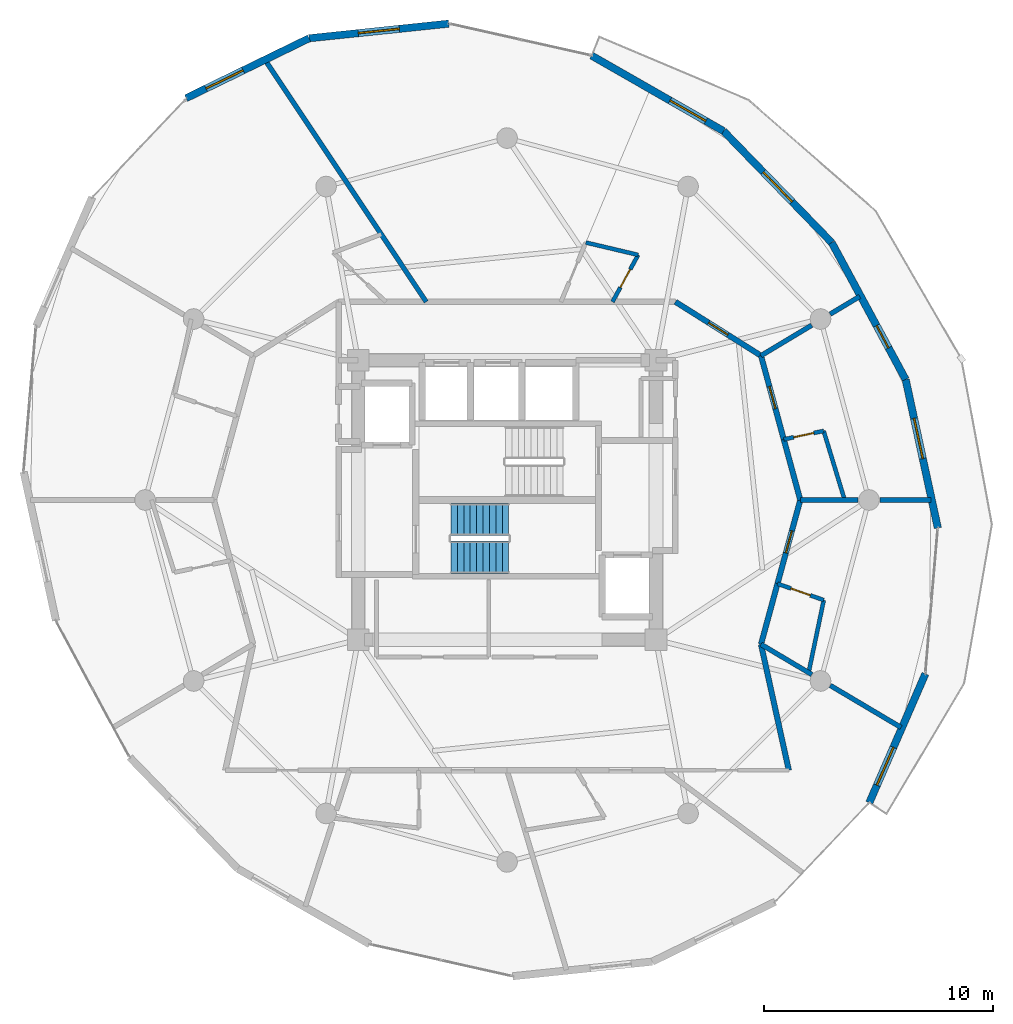
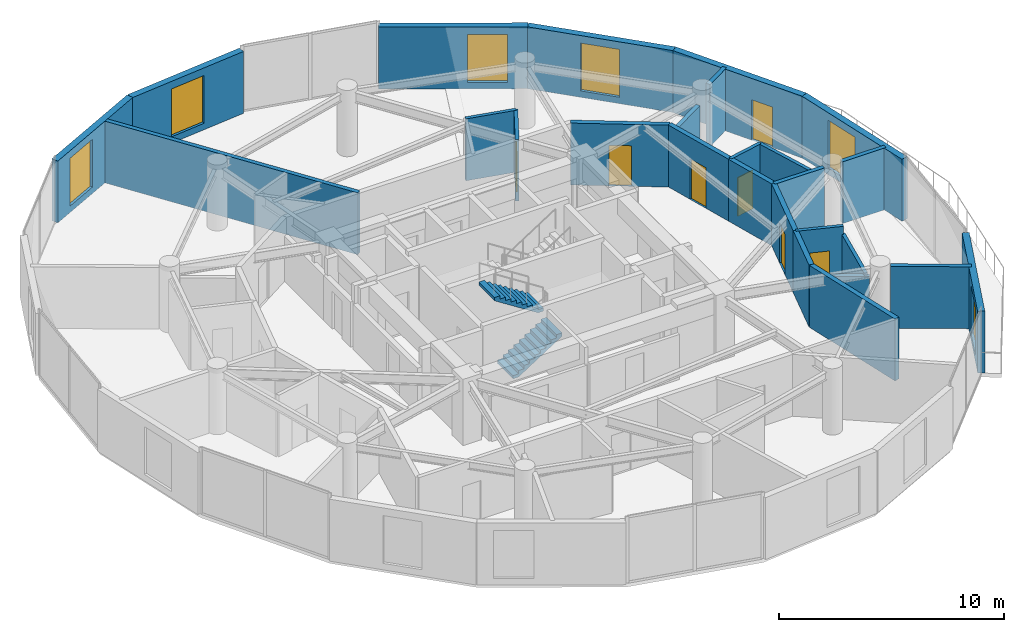
# One storey, part 20 of 23: 26 walls, 7 doors, 6 windows, 2 stair flights, 13 openings, 1 element without a shape of its own.
"""IFC4 building model written with IfcOpenShell, lengths in metres."""

from ifc_helpers import new_model, si_unit, direction, frame, frame_2d, origin, place, context, subcontext, project, spatial, polyline, rectangle, outline, extrude, material, layer, layer_set, type_object, element, fill, aggregate, save


model = new_model("IFC4")

# Units and contexts
model_context = context("Model", 3, precision=1e-05, world=origin(), true_north=direction((0.0, 1.0)))
body_context = subcontext(model_context, "Body", "Model", "MODEL_VIEW")
ifc_project = project(units=[si_unit("LENGTHUNIT", "METRE"), si_unit("AREAUNIT", "SQUARE_METRE"), si_unit("VOLUMEUNIT", "CUBIC_METRE"), si_unit("PLANEANGLEUNIT", "RADIAN"), si_unit("MASSUNIT", "GRAM", prefix="KILO")], contexts=[model_context])

# Site, building, storey
site_placement = place(None, origin())
site = spatial("IfcSite", under=ifc_project, at=site_placement, CompositionType="ELEMENT")
building_placement = place(site_placement, origin())
building = spatial("IfcBuilding", under=site, at=building_placement, Name="Solvirekh Grand Hotel", CompositionType="ELEMENT")
storey_placement = place(building_placement, frame((0.0, 0.0, 173.199951171875)))
storey = spatial("IfcBuildingStorey", under=building, at=storey_placement, Name="L44", CompositionType="ELEMENT", Elevation=173.199951171875)

# Wall, opening, window
ifc_material_1 = material(Name="Precast concrete C45/55", Category="concrete")
ifc_layer_1 = layer(ifc_material_1, 0.320068359375)
ifc_layer_set_1 = layer_set([ifc_layer_1], Name="Precast concrete C45/55")
wall_type_1 = type_object("IfcWallType", Name="ExtLobbyWall_RC320", PredefinedType="SOLIDWALL", material=ifc_layer_set_1)
wall_1_placement = place(storey_placement, frame((18.260009765625, -7.590087890625, 0.0), z_axis=(0.0, 0.0, 1.0), x_axis=(-0.398911001453, -0.916989647117, 0.0)))
wall_1 = element("IfcWall", 1, at=wall_1_placement, inside=storey, type_object=wall_type_1, Name="L44 exterior structural wall chord 2", PredefinedType="SOLIDWALL", context=body_context, shape_type="SweptSolid", body=[
    extrude(rectangle(XDim=6.1318359375, YDim=0.320068359375, at=frame_2d((3.06591796875, 0.0))), origin(), (0.0, 0.0, 1.0), 3.360107421875),
])
opening_1_placement = place(wall_1_placement, frame((3.5, 0.0, 0.35009765625)))
opening_1 = element("IfcOpeningElement", 2, at=opening_1_placement, cuts=wall_1, Name="Opening W02", PredefinedType="OPENING", context=body_context, shape_type="SweptSolid", body=[
    extrude(rectangle(XDim=1.800048828125, YDim=2.60009765625, at=frame_2d((0.89990234375, 1.300048828125))), frame((0.0, 0.169921875, 0.0), z_axis=(0.0, -1.0, 0.0), x_axis=(1.0, 0.0, 0.0)), (0.0, 0.0, 1.0), 0.340087890625),
])
ifc_material_2 = material(Name="Low-E Tinted Bronze Laminated Glass", Category="aluminium")
window_type = type_object("IfcWindowType", Name="Win_LobbyExt_1800X2600", PartitioningType="SINGLE_PANEL", PredefinedType="WINDOW", material=ifc_material_2)
window_1_placement = place(opening_1_placement, origin())
window_1 = element("IfcWindow", 3, at=window_1_placement, inside=storey, type_object=window_type, Name="L44 panoramic bronze-framed window 2", OverallHeight=2.60009765625, OverallWidth=1.800048828125, PartitioningType="SINGLE_PANEL", PredefinedType="WINDOW", context=body_context, shape_type="SweptSolid", body=[
    extrude(rectangle(XDim=1.800048828125, YDim=2.60009765625, at=frame_2d((0.89990234375, 1.300048828125))), frame((0.0, 0.030029296875, 0.0), z_axis=(0.0, -1.0, 0.0), x_axis=(1.0, 0.0, 0.0)), (0.0, 0.0, 1.0), 0.06005859375),
])
fill(opening_1, window_1)

wall_2_placement = place(storey_placement, frame((17.39794921875, 5.261962890625, 0.0), z_axis=(0.0, 0.0, 1.0), x_axis=(0.211992849193, -0.977271217161, 0.0)))
wall_2 = element("IfcWall", 4, at=wall_2_placement, inside=storey, type_object=wall_type_1, Name="L44 exterior structural wall chord 4", PredefinedType="SOLIDWALL", context=body_context, shape_type="SweptSolid", body=[
    extrude(rectangle(XDim=6.636962890625, YDim=0.320068359375, at=frame_2d((3.318359375, 0.0))), origin(), (0.0, 0.0, 1.0), 3.360107421875),
])
opening_2_placement = place(wall_2_placement, frame((1.738037109375, 0.0, 0.35009765625)))
opening_2 = element("IfcOpeningElement", 5, at=opening_2_placement, cuts=wall_2, Name="Opening W02", PredefinedType="OPENING", context=body_context, shape_type="SweptSolid", body=[
    extrude(rectangle(XDim=1.800048828125, YDim=2.60009765625, at=frame_2d((0.89990234375, 1.300048828125))), frame((0.0, 0.169921875, 0.0), z_axis=(0.0, -1.0, 0.0), x_axis=(1.0, 0.0, 0.0)), (0.0, 0.0, 1.0), 0.340087890625),
])
window_2_placement = place(opening_2_placement, origin())
window_2 = element("IfcWindow", 6, at=window_2_placement, inside=storey, type_object=window_type, Name="L44 panoramic bronze-framed window 4", OverallHeight=2.60009765625, OverallWidth=1.800048828125, PartitioningType="SINGLE_PANEL", PredefinedType="WINDOW", context=body_context, shape_type="SweptSolid", body=[
    extrude(rectangle(XDim=1.800048828125, YDim=2.60009765625, at=frame_2d((0.89990234375, 1.300048828125))), frame((0.0, 0.030029296875, 0.0), z_axis=(0.0, -1.0, 0.0), x_axis=(1.0, 0.0, 0.0)), (0.0, 0.0, 1.0), 0.06005859375),
])
fill(opening_2, window_2)

# Wall, opening, door
wall_3_placement = place(storey_placement, frame((14.174072265625, 11.23193359375, 0.0), z_axis=(0.0, 0.0, 1.0), x_axis=(0.475159501302, -0.879899680829, 0.0)))
wall_3 = element("IfcWall", 7, at=wall_3_placement, inside=storey, type_object=wall_type_1, Name="L44 exterior structural wall chord 5", PredefinedType="SOLIDWALL", context=body_context, shape_type="SweptSolid", body=[
    extrude(rectangle(XDim=6.784912109375, YDim=0.320068359375, at=frame_2d((3.392578125, 0.0))), origin(), (0.0, 0.0, 1.0), 3.360107421875),
])
opening_3_placement = place(wall_3_placement, frame((4.114013671875, 0.0, 0.0)))
opening_3 = element("IfcOpeningElement", 8, at=opening_3_placement, cuts=wall_3, Name="Opening D03", PredefinedType="OPENING", context=body_context, shape_type="SweptSolid", body=[
    extrude(rectangle(XDim=1.10009765625, YDim=2.199951171875, at=frame_2d((0.550048828125, 1.10009765625))), frame((0.0, 0.169921875, 0.0), z_axis=(0.0, -1.0, 0.0), x_axis=(1.0, 0.0, 0.0)), (0.0, 0.0, 1.0), 0.340087890625),
])
ifc_material_3 = material(Name="Anodized Bronze Aluminium 6063-T6", Category="aluminium")
door_type_1 = type_object("IfcDoorType", Name="Door_ExtBalcony_1100X2200", OperationType="NOTDEFINED", PredefinedType="DOOR", material=ifc_material_3)
door_1_placement = place(opening_3_placement, origin())
door_1 = element("IfcDoor", 9, at=door_1_placement, inside=storey, type_object=door_type_1, Name="L44 Crescent balcony glazed door (5)", OperationType="SINGLE_SWING_RIGHT", OverallHeight=2.199951171875, OverallWidth=1.10009765625, PredefinedType="DOOR", context=body_context, shape_type="SweptSolid", body=[
    extrude(rectangle(XDim=1.10009765625, YDim=2.199951171875, at=frame_2d((0.550048828125, 1.10009765625))), frame((0.0, 0.02490234375, 0.0), z_axis=(0.0, -1.0, 0.0), x_axis=(1.0, 0.0, 0.0)), (0.0, 0.0, 1.0), 0.050048828125),
])
fill(opening_3, door_1)

# Wall, opening, window
wall_4_placement = place(storey_placement, frame((9.450927734375, 16.10302734375, 0.0), z_axis=(0.0, 0.0, 1.0), x_axis=(0.696119985346, -0.71792545992, 0.0)))
wall_4 = element("IfcWall", 10, at=wall_4_placement, inside=storey, type_object=wall_type_1, Name="L44 exterior structural wall chord 6", PredefinedType="SOLIDWALL", context=body_context, shape_type="SweptSolid", body=[
    extrude(rectangle(XDim=6.784912109375, YDim=0.320068359375, at=frame_2d((3.392578125, 0.0))), origin(), (0.0, 0.0, 1.0), 3.360107421875),
])
opening_4_placement = place(wall_4_placement, frame((2.491943359375, 0.0, 0.35009765625)))
opening_4 = element("IfcOpeningElement", 11, at=opening_4_placement, cuts=wall_4, Name="Opening W02", PredefinedType="OPENING", context=body_context, shape_type="SweptSolid", body=[
    extrude(rectangle(XDim=1.800048828125, YDim=2.60009765625, at=frame_2d((0.89990234375, 1.300048828125))), frame((0.0, 0.169921875, 0.0), z_axis=(0.0, -1.0, 0.0), x_axis=(1.0, 0.0, 0.0)), (0.0, 0.0, 1.0), 0.340087890625),
])
window_3_placement = place(opening_4_placement, origin())
window_3 = element("IfcWindow", 12, at=window_3_placement, inside=storey, type_object=window_type, Name="L44 panoramic bronze-framed window 6", OverallHeight=2.60009765625, OverallWidth=1.800048828125, PartitioningType="SINGLE_PANEL", PredefinedType="WINDOW", context=body_context, shape_type="SweptSolid", body=[
    extrude(rectangle(XDim=1.800048828125, YDim=2.60009765625, at=frame_2d((0.89990234375, 1.300048828125))), frame((0.0, 0.030029296875, 0.0), z_axis=(0.0, -1.0, 0.0), x_axis=(1.0, 0.0, 0.0)), (0.0, 0.0, 1.0), 0.06005859375),
])
fill(opening_4, window_3)

wall_5_placement = place(storey_placement, frame((3.68994140625, 19.39794921875, 0.0), z_axis=(0.0, 0.0, 1.0), x_axis=(0.868052920032, -0.496471678974, 0.0)))
wall_5 = element("IfcWall", 13, at=wall_5_placement, inside=storey, type_object=wall_type_1, Name="L44 exterior structural wall chord 7", PredefinedType="SOLIDWALL", context=body_context, shape_type="SweptSolid", body=[
    extrude(rectangle(XDim=6.63671875, YDim=0.320068359375, at=frame_2d((3.318359375, 0.0))), origin(), (0.0, 0.0, 1.0), 3.360107421875),
])
opening_5_placement = place(wall_5_placement, frame((3.944091796875, 0.0, 0.35009765625)))
opening_5 = element("IfcOpeningElement", 14, at=opening_5_placement, cuts=wall_5, Name="Opening W02", PredefinedType="OPENING", context=body_context, shape_type="SweptSolid", body=[
    extrude(rectangle(XDim=1.800048828125, YDim=2.60009765625, at=frame_2d((0.89990234375, 1.300048828125))), frame((0.0, 0.169921875, 0.0), z_axis=(0.0, -1.0, 0.0), x_axis=(1.0, 0.0, 0.0)), (0.0, 0.0, 1.0), 0.340087890625),
])
window_4_placement = place(opening_5_placement, origin())
window_4 = element("IfcWindow", 15, at=window_4_placement, inside=storey, type_object=window_type, Name="L44 panoramic bronze-framed window 7", OverallHeight=2.60009765625, OverallWidth=1.800048828125, PartitioningType="SINGLE_PANEL", PredefinedType="WINDOW", context=body_context, shape_type="SweptSolid", body=[
    extrude(rectangle(XDim=1.800048828125, YDim=2.60009765625, at=frame_2d((0.89990234375, 1.300048828125))), frame((0.0, 0.030029296875, 0.0), z_axis=(0.0, -1.0, 0.0), x_axis=(1.0, 0.0, 0.0)), (0.0, 0.0, 1.0), 0.06005859375),
])
fill(opening_5, window_4)

wall_6_placement = place(storey_placement, frame((-8.64306640625, 20.155029296875, 0.0), z_axis=(0.0, 0.0, 1.0), x_axis=(0.994556170884, 0.104201837585, 0.0)))
wall_6 = element("IfcWall", 16, at=wall_6_placement, inside=storey, type_object=wall_type_1, Name="L44 exterior structural wall chord 9", PredefinedType="SOLIDWALL", context=body_context, shape_type="SweptSolid", body=[
    extrude(rectangle(XDim=6.131591796875, YDim=0.320068359375, at=frame_2d((3.06591796875, 0.0))), origin(), (0.0, 0.0, 1.0), 3.360107421875),
])
opening_6_placement = place(wall_6_placement, frame((2.166015625, 0.0, 0.35009765625)))
opening_6 = element("IfcOpeningElement", 17, at=opening_6_placement, cuts=wall_6, Name="Opening W02", PredefinedType="OPENING", context=body_context, shape_type="SweptSolid", body=[
    extrude(rectangle(XDim=1.800048828125, YDim=2.60009765625, at=frame_2d((0.89990234375, 1.300048828125))), frame((0.0, 0.169921875, 0.0), z_axis=(0.0, -1.0, 0.0), x_axis=(1.0, 0.0, 0.0)), (0.0, 0.0, 1.0), 0.340087890625),
])
window_5_placement = place(opening_6_placement, origin())
window_5 = element("IfcWindow", 18, at=window_5_placement, inside=storey, type_object=window_type, Name="L44 panoramic bronze-framed window 9", OverallHeight=2.60009765625, OverallWidth=1.800048828125, PartitioningType="SINGLE_PANEL", PredefinedType="WINDOW", context=body_context, shape_type="SweptSolid", body=[
    extrude(rectangle(XDim=1.800048828125, YDim=2.60009765625, at=frame_2d((0.89990234375, 1.300048828125))), frame((0.0, 0.030029296875, 0.0), z_axis=(0.0, -1.0, 0.0), x_axis=(1.0, 0.0, 0.0)), (0.0, 0.0, 1.0), 0.06005859375),
])
fill(opening_6, window_5)

wall_7_placement = place(storey_placement, frame((-14.008056640625, 17.5419921875, 0.0), z_axis=(0.0, 0.0, 1.0), x_axis=(0.899034471399, 0.437877858811, 0.0)))
wall_7 = element("IfcWall", 19, at=wall_7_placement, inside=storey, type_object=wall_type_1, Name="L44 exterior structural wall chord 10", PredefinedType="SOLIDWALL", context=body_context, shape_type="SweptSolid", body=[
    extrude(rectangle(XDim=5.967529296875, YDim=0.320068359375, at=frame_2d((2.98388671875, 0.0))), origin(), (0.0, 0.0, 1.0), 3.360107421875),
])
opening_7_placement = place(wall_7_placement, frame((0.966064453125, 0.0, 0.35009765625)))
opening_7 = element("IfcOpeningElement", 20, at=opening_7_placement, cuts=wall_7, Name="Opening W02", PredefinedType="OPENING", context=body_context, shape_type="SweptSolid", body=[
    extrude(rectangle(XDim=1.800048828125, YDim=2.60009765625, at=frame_2d((0.89990234375, 1.300048828125))), frame((0.0, 0.169921875, 0.0), z_axis=(0.0, -1.0, 0.0), x_axis=(1.0, 0.0, 0.0)), (0.0, 0.0, 1.0), 0.340087890625),
])
window_6_placement = place(opening_7_placement, origin())
window_6 = element("IfcWindow", 21, at=window_6_placement, inside=storey, type_object=window_type, Name="L44 panoramic bronze-framed window 10", OverallHeight=2.60009765625, OverallWidth=1.800048828125, PartitioningType="SINGLE_PANEL", PredefinedType="WINDOW", context=body_context, shape_type="SweptSolid", body=[
    extrude(rectangle(XDim=1.800048828125, YDim=2.60009765625, at=frame_2d((0.89990234375, 1.300048828125))), frame((0.0, 0.030029296875, 0.0), z_axis=(0.0, -1.0, 0.0), x_axis=(1.0, 0.0, 0.0)), (0.0, 0.0, 1.0), 0.06005859375),
])
fill(opening_7, window_6)

# Wall, opening, door
ifc_material_4 = material(Name="Acoustic Gypsum Partition Assembly")
ifc_layer_2 = layer(ifc_material_4, 0.239990234375)
ifc_layer_set_2 = layer_set([ifc_layer_2], Name="Acoustic Gypsum Partition Assembly")
wall_type_2 = type_object("IfcWallType", Name="Part_Corridor_240", PredefinedType="PARTITIONING", material=ifc_layer_set_2)
wall_8_placement = place(storey_placement, frame((7.35009765625, 8.64990234375, 0.0), z_axis=(0.0, 0.0, 1.0), x_axis=(0.846409267484, -0.532532958526, 0.0)))
wall_8 = element("IfcWall", 22, at=wall_8_placement, inside=storey, type_object=wall_type_2, Name="L44 Deluxe Guestroom 4601 entrance wall", PredefinedType="PARTITIONING", context=body_context, shape_type="SweptSolid", body=[
    extrude(rectangle(XDim=4.41259765625, YDim=0.239990234375, at=frame_2d((2.206298828125, 0.0))), origin(), (0.0, 0.0, 1.0), 3.360107421875),
])
opening_8_placement = place(wall_8_placement, frame((1.7060546875, 0.0, 0.0)))
opening_8 = element("IfcOpeningElement", 23, at=opening_8_placement, cuts=wall_8, Name="Opening D07", PredefinedType="OPENING", context=body_context, shape_type="SweptSolid", body=[
    extrude(rectangle(XDim=1.0, YDim=2.199951171875, at=frame_2d((0.5, 1.10009765625))), frame((0.0, 0.1298828125, 0.0), z_axis=(0.0, -1.0, 0.0), x_axis=(1.0, 0.0, 0.0)), (0.0, 0.0, 1.0), 0.260009765625),
])
ifc_material_5 = material(Name="Fire-Rated Steel Door Assembly", Category="steel")
door_type_2 = type_object("IfcDoorType", Name="Door_GuestEntry_1000X2200", OperationType="NOTDEFINED", PredefinedType="DOOR", material=ifc_material_5)
door_2_placement = place(opening_8_placement, origin())
door_2 = element("IfcDoor", 24, at=door_2_placement, inside=storey, type_object=door_type_2, Name="L44 Deluxe Guestroom 4601 entrance door", OperationType="SINGLE_SWING_RIGHT", OverallHeight=2.199951171875, OverallWidth=1.0, PredefinedType="DOOR", context=body_context, shape_type="SweptSolid", body=[
    extrude(rectangle(XDim=1.0, YDim=2.199951171875, at=frame_2d((0.5, 1.10009765625))), frame((0.0, 0.02490234375, 0.0), z_axis=(0.0, -1.0, 0.0), x_axis=(1.0, 0.0, 0.0)), (0.0, 0.0, 1.0), 0.050048828125),
])
fill(opening_8, door_2)

# Wall
wall_9_placement = place(storey_placement, frame((11.0849609375, -6.300048828125, 0.0), z_axis=(0.0, 0.0, 1.0), x_axis=(0.262552356383, 0.964917747872, 0.0)))
element("IfcWall", 25, at=wall_9_placement, inside=storey, type_object=wall_type_2, Name="L44 En-suite Bathroom 4605 corridor backing wall", PredefinedType="PARTITIONING", context=body_context, shape_type="SweptSolid", body=[
    extrude(rectangle(XDim=2.7421875, YDim=0.239990234375, at=frame_2d((1.37109375, 0.0))), origin(), (0.0, 0.0, 1.0), 3.360107421875),
])

# Wall, opening, door
wall_10_placement = place(storey_placement, frame((11.804931640625, -3.654052734375, 0.0), z_axis=(0.0, 0.0, 1.0), x_axis=(0.262762825819, 0.964860454868, 0.0)))
wall_10 = element("IfcWall", 26, at=wall_10_placement, inside=storey, type_object=wall_type_2, Name="L44 Deluxe Guestroom 4605 entrance wall", PredefinedType="PARTITIONING", context=body_context, shape_type="SweptSolid", body=[
    extrude(rectangle(XDim=3.787109375, YDim=0.239990234375, at=frame_2d((1.8935546875, 0.0))), origin(), (0.0, 0.0, 1.0), 3.360107421875),
])
opening_9_placement = place(wall_10_placement, frame((1.39404296875, 0.0, 0.0)))
opening_9 = element("IfcOpeningElement", 27, at=opening_9_placement, cuts=wall_10, Name="Opening D07", PredefinedType="OPENING", context=body_context, shape_type="SweptSolid", body=[
    extrude(rectangle(XDim=1.0, YDim=2.199951171875, at=frame_2d((0.5, 1.10009765625))), frame((0.0, 0.1298828125, 0.0), z_axis=(0.0, -1.0, 0.0), x_axis=(1.0, 0.0, 0.0)), (0.0, 0.0, 1.0), 0.260009765625),
])
door_3_placement = place(opening_9_placement, origin())
door_3 = element("IfcDoor", 28, at=door_3_placement, inside=storey, type_object=door_type_2, Name="L44 Deluxe Guestroom 4605 entrance door", OperationType="SINGLE_SWING_LEFT", OverallHeight=2.199951171875, OverallWidth=1.0, PredefinedType="DOOR", context=body_context, shape_type="SweptSolid", body=[
    extrude(rectangle(XDim=1.0, YDim=2.199951171875, at=frame_2d((0.5, 1.10009765625))), frame((0.0, 0.02490234375, 0.0), z_axis=(0.0, -1.0, 0.0), x_axis=(1.0, 0.0, 0.0)), (0.0, 0.0, 1.0), 0.050048828125),
])
fill(opening_9, door_3)

# Wall
wall_11_placement = place(storey_placement, frame((12.800048828125, 0.0, 0.0), z_axis=(0.0, 0.0, 1.0), x_axis=(-0.262552356383, 0.964917747872, 0.0)))
element("IfcWall", 29, at=wall_11_placement, inside=storey, type_object=wall_type_2, Name="L44 En-suite Bathroom 4606 corridor backing wall", PredefinedType="PARTITIONING", context=body_context, shape_type="SweptSolid", body=[
    extrude(rectangle(XDim=2.7421875, YDim=0.239990234375, at=frame_2d((1.37109375, 0.0))), origin(), (0.0, 0.0, 1.0), 3.360107421875),
])

# Wall, opening, door
wall_12_placement = place(storey_placement, frame((12.080078125, 2.64599609375, 0.0), z_axis=(0.0, 0.0, 1.0), x_axis=(-0.262762825819, 0.964860454868, 0.0)))
wall_12 = element("IfcWall", 30, at=wall_12_placement, inside=storey, type_object=wall_type_2, Name="L44 Deluxe Guestroom 4606 entrance wall", PredefinedType="PARTITIONING", context=body_context, shape_type="SweptSolid", body=[
    extrude(rectangle(XDim=3.787109375, YDim=0.239990234375, at=frame_2d((1.8935546875, 0.0))), origin(), (0.0, 0.0, 1.0), 3.360107421875),
])
opening_10_placement = place(wall_12_placement, frame((1.39404296875, 0.0, 0.0)))
opening_10 = element("IfcOpeningElement", 31, at=opening_10_placement, cuts=wall_12, Name="Opening D07", PredefinedType="OPENING", context=body_context, shape_type="SweptSolid", body=[
    extrude(rectangle(XDim=1.0, YDim=2.199951171875, at=frame_2d((0.5, 1.10009765625))), frame((0.0, 0.1298828125, 0.0), z_axis=(0.0, -1.0, 0.0), x_axis=(1.0, 0.0, 0.0)), (0.0, 0.0, 1.0), 0.260009765625),
])
door_4_placement = place(opening_10_placement, origin())
door_4 = element("IfcDoor", 32, at=door_4_placement, inside=storey, type_object=door_type_2, Name="L44 Deluxe Guestroom 4606 entrance door", OperationType="SINGLE_SWING_LEFT", OverallHeight=2.199951171875, OverallWidth=1.0, PredefinedType="DOOR", context=body_context, shape_type="SweptSolid", body=[
    extrude(rectangle(XDim=1.0, YDim=2.199951171875, at=frame_2d((0.5, 1.10009765625))), frame((0.0, 0.02490234375, 0.0), z_axis=(0.0, -1.0, 0.0), x_axis=(1.0, 0.0, 0.0)), (0.0, 0.0, 1.0), 0.050048828125),
])
fill(opening_10, door_4)

# Walls
wall_13_placement = place(storey_placement, frame((12.300048828125, -11.800048828125, 0.0), z_axis=(0.0, 0.0, 1.0), x_axis=(-0.21572328796, 0.976454537104, 0.0)))
element("IfcWall", 33, at=wall_13_placement, inside=storey, type_object=wall_type_2, Name="L44 L44 Butler Valet & Linen Steward Room corridor wall 1", PredefinedType="PARTITIONING", context=body_context, shape_type="SweptSolid", body=[
    extrude(rectangle(XDim=5.632568359375, YDim=0.239990234375, at=frame_2d((2.81640625, 0.0))), origin(), (0.0, 0.0, 1.0), 3.360107421875),
])
ifc_layer_3 = layer(ifc_material_4, 0.2099609375)
ifc_layer_set_3 = layer_set([ifc_layer_3], Name="Acoustic Gypsum Partition Assembly")
wall_type_3 = type_object("IfcWallType", Name="Part_SuiteDemise_210", PredefinedType="PARTITIONING", material=ifc_layer_set_3)
wall_14_placement = place(storey_placement, frame((12.800048828125, 0.0, 0.0), z_axis=(0.0, 0.0, 1.0), x_axis=(1.0, 0.0, 0.0)))
element("IfcWall", 34, at=wall_14_placement, inside=storey, type_object=wall_type_3, Name="L44 suite radial wall 1 (A)", PredefinedType="PARTITIONING", context=body_context, shape_type="SweptSolid", body=[
    extrude(rectangle(XDim=2.530029296875, YDim=0.2099609375, at=frame_2d((1.26513671875, 0.0))), origin(), (0.0, 0.0, 1.0), 3.360107421875),
])
wall_15_placement = place(storey_placement, frame((16.27001953125, 0.0, 0.0), z_axis=(0.0, 0.0, 1.0), x_axis=(1.0, 0.0, 0.0)))
element("IfcWall", 35, at=wall_15_placement, inside=storey, type_object=wall_type_3, Name="L44 suite radial wall 1 (B)", PredefinedType="PARTITIONING", context=body_context, shape_type="SweptSolid", body=[
    extrude(rectangle(XDim=2.22900390625, YDim=0.2099609375, at=frame_2d((1.114501953125, 0.0))), origin(), (0.0, 0.0, 1.0), 3.360107421875),
])
wall_16_placement = place(storey_placement, frame((11.0849609375, 6.300048828125, 0.0), z_axis=(0.0, 0.0, 1.0), x_axis=(0.857259301733, 0.514884928497, 0.0)))
element("IfcWall", 36, at=wall_16_placement, inside=storey, type_object=wall_type_3, Name="L44 suite radial wall 2 (A)", PredefinedType="PARTITIONING", context=body_context, shape_type="SweptSolid", body=[
    extrude(rectangle(XDim=2.582763671875, YDim=0.2099609375, at=frame_2d((1.29150390625, 0.0))), origin(), (0.0, 0.0, 1.0), 2.801025390625),
])
wall_17_placement = place(storey_placement, frame((14.10205078125, 8.112060546875, 0.0), z_axis=(0.0, 0.0, 1.0), x_axis=(0.85729274583, 0.514829241543, 0.0)))
element("IfcWall", 37, at=wall_17_placement, inside=storey, type_object=wall_type_3, Name="L44 suite radial wall 2 (B)", PredefinedType="PARTITIONING", context=body_context, shape_type="SweptSolid", body=[
    extrude(rectangle(XDim=1.507080078125, YDim=0.2099609375, at=frame_2d((0.75341796875, 0.0))), origin(), (0.0, 0.0, 1.0), 3.360107421875),
])
wall_18_placement = place(storey_placement, frame((11.0849609375, -6.300048828125, 0.0), z_axis=(0.0, 0.0, 1.0), x_axis=(0.859827513331, -0.510584613281, 0.0)))
element("IfcWall", 38, at=wall_18_placement, inside=storey, type_object=wall_type_3, Name="L44 suite radial wall 12 (A)", PredefinedType="PARTITIONING", context=body_context, shape_type="SweptSolid", body=[
    extrude(rectangle(XDim=2.5830078125, YDim=0.2099609375, at=frame_2d((1.29150390625, 0.0))), origin(), (0.0, 0.0, 1.0), 2.801025390625),
])
wall_19_placement = place(storey_placement, frame((14.110107421875, -8.095947265625, 0.0), z_axis=(0.0, 0.0, 1.0), x_axis=(0.859858473155, -0.510532473153, 0.0)))
element("IfcWall", 39, at=wall_19_placement, inside=storey, type_object=wall_type_3, Name="L44 suite radial wall 12 (B)", PredefinedType="PARTITIONING", context=body_context, shape_type="SweptSolid", body=[
    extrude(rectangle(XDim=3.59228515625, YDim=0.2099609375, at=frame_2d((1.796142578125, 0.0))), origin(), (0.0, 0.0, 1.0), 3.360107421875),
])
wall_20_placement = place(storey_placement, frame((-3.528076171875, 8.64990234375, 0.0), z_axis=(0.0, 0.0, 1.0), x_axis=(-0.554428653403, 0.832231258898, 0.0)))
element("IfcWall", 40, at=wall_20_placement, inside=storey, type_object=wall_type_3, Name="L44 Panorama Suite 4601 North Observatory Study dividing partition 1", PredefinedType="PARTITIONING", context=body_context, shape_type="SweptSolid", body=[
    extrude(rectangle(XDim=12.65771484375, YDim=0.2099609375, at=frame_2d((6.328857421875, 0.0))), origin(), (0.0, 0.0, 1.0), 3.360107421875),
])
ifc_layer_4 = layer(ifc_material_4, 0.175048828125)
ifc_layer_set_4 = layer_set([ifc_layer_4], Name="Acoustic Gypsum Partition Assembly")
wall_type_4 = type_object("IfcWallType", Name="Plumb_Ensuite_175", PredefinedType="PLUMBINGWALL", material=ifc_layer_set_4)
wall_21_placement = place(storey_placement, frame((3.43896484375, 11.239013671875, 0.0), z_axis=(0.0, 0.0, 1.0), x_axis=(0.973143510765, -0.230199277704, 0.0)))
element("IfcWall", 41, at=wall_21_placement, inside=storey, type_object=wall_type_4, Name="L44 En-suite Bathroom 4601 outer plumbing wall", PredefinedType="PLUMBINGWALL", context=body_context, shape_type="SweptSolid", body=[
    extrude(rectangle(XDim=2.345947265625, YDim=0.175048828125, at=frame_2d((1.1728515625, 0.0))), origin(), (0.0, 0.0, 1.0), 3.360107421875),
])

# Wall, opening, door
wall_22_placement = place(storey_placement, frame((4.60205078125, 8.64990234375, 0.0), z_axis=(0.0, 0.0, 1.0), x_axis=(0.479577167617, 0.877499709573, 0.0)))
wall_22 = element("IfcWall", 42, at=wall_22_placement, inside=storey, type_object=wall_type_4, Name="L44 En-suite Bathroom 4601 entry plumbing wall", PredefinedType="PLUMBINGWALL", context=body_context, shape_type="SweptSolid", body=[
    extrude(rectangle(XDim=2.335205078125, YDim=0.175048828125, at=frame_2d((1.16748046875, 0.0))), origin(), (0.0, 0.0, 1.0), 3.360107421875),
])
opening_11_placement = place(wall_22_placement, frame((0.718017578125, 0.0, 0.0)))
opening_11 = element("IfcOpeningElement", 43, at=opening_11_placement, cuts=wall_22, Name="Opening D09", PredefinedType="OPENING", context=body_context, shape_type="SweptSolid", body=[
    extrude(rectangle(XDim=0.89990234375, YDim=2.10009765625, at=frame_2d((0.449951171875, 1.050048828125))), frame((0.0, 0.09765625, 0.0), z_axis=(0.0, -1.0, 0.0), x_axis=(1.0, 0.0, 0.0)), (0.0, 0.0, 1.0), 0.195068359375),
])
door_type_3 = type_object("IfcDoorType", Name="Door_Ensuite_900X2100", OperationType="NOTDEFINED", PredefinedType="DOOR", material=ifc_material_3)
door_5_placement = place(opening_11_placement, origin())
door_5 = element("IfcDoor", 44, at=door_5_placement, inside=storey, type_object=door_type_3, Name="L44 En-suite Bathroom 4601 door", OperationType="SINGLE_SWING_LEFT", OverallHeight=2.10009765625, OverallWidth=0.89990234375, PredefinedType="DOOR", context=body_context, shape_type="SweptSolid", body=[
    extrude(rectangle(XDim=0.89990234375, YDim=2.10009765625, at=frame_2d((0.449951171875, 1.050048828125))), frame((0.0, 0.02490234375, 0.0), z_axis=(0.0, -1.0, 0.0), x_axis=(1.0, 0.0, 0.0)), (0.0, 0.0, 1.0), 0.050048828125),
])
fill(opening_11, door_5)

# Wall
wall_23_placement = place(storey_placement, frame((13.1640625, -7.533935546875, 0.0), z_axis=(0.0, 0.0, 1.0), x_axis=(0.204476064812, 0.978871564057, 0.0)))
element("IfcWall", 45, at=wall_23_placement, inside=storey, type_object=wall_type_4, Name="L44 En-suite Bathroom 4605 outer plumbing wall", PredefinedType="PLUMBINGWALL", context=body_context, shape_type="SweptSolid", body=[
    extrude(rectangle(XDim=3.232177734375, YDim=0.175048828125, at=frame_2d((1.6162109375, 0.0))), origin(), (0.0, 0.0, 1.0), 2.928955078125),
])

# Wall, opening, door
wall_24_placement = place(storey_placement, frame((11.804931640625, -3.654052734375, 0.0), z_axis=(0.0, 0.0, 1.0), x_axis=(0.942533085892, -0.334112828248, 0.0)))
wall_24 = element("IfcWall", 46, at=wall_24_placement, inside=storey, type_object=wall_type_4, Name="L44 En-suite Bathroom 4605 entry plumbing wall", PredefinedType="PLUMBINGWALL", context=body_context, shape_type="SweptSolid", body=[
    extrude(rectangle(XDim=2.14306640625, YDim=0.175048828125, at=frame_2d((1.071533203125, 0.0))), origin(), (0.0, 0.0, 1.0), 3.360107421875),
])
opening_12_placement = place(wall_24_placement, frame((0.6220703125, 0.0, 0.0)))
opening_12 = element("IfcOpeningElement", 47, at=opening_12_placement, cuts=wall_24, Name="Opening D09", PredefinedType="OPENING", context=body_context, shape_type="SweptSolid", body=[
    extrude(rectangle(XDim=0.89990234375, YDim=2.10009765625, at=frame_2d((0.449951171875, 1.050048828125))), frame((0.0, 0.09765625, 0.0), z_axis=(0.0, -1.0, 0.0), x_axis=(1.0, 0.0, 0.0)), (0.0, 0.0, 1.0), 0.195068359375),
])
door_6_placement = place(opening_12_placement, origin())
door_6 = element("IfcDoor", 48, at=door_6_placement, inside=storey, type_object=door_type_3, Name="L44 En-suite Bathroom 4605 door", OperationType="SINGLE_SWING_RIGHT", OverallHeight=2.10009765625, OverallWidth=0.89990234375, PredefinedType="DOOR", context=body_context, shape_type="SweptSolid", body=[
    extrude(rectangle(XDim=0.89990234375, YDim=2.10009765625, at=frame_2d((0.449951171875, 1.050048828125))), frame((0.0, 0.02490234375, 0.0), z_axis=(0.0, -1.0, 0.0), x_axis=(1.0, 0.0, 0.0)), (0.0, 0.0, 1.0), 0.050048828125),
])
fill(opening_12, door_6)

# Wall
wall_25_placement = place(storey_placement, frame((14.738037109375, 0.0, 0.0), z_axis=(0.0, 0.0, 1.0), x_axis=(-0.291451232832, 0.956585688206, 0.0)))
element("IfcWall", 49, at=wall_25_placement, inside=storey, type_object=wall_type_4, Name="L44 En-suite Bathroom 4606 outer plumbing wall", PredefinedType="PLUMBINGWALL", context=body_context, shape_type="SweptSolid", body=[
    extrude(rectangle(XDim=3.153076171875, YDim=0.175048828125, at=frame_2d((1.57666015625, 0.0))), origin(), (0.0, 0.0, 1.0), 3.360107421875),
])

# Wall, opening, door
wall_26_placement = place(storey_placement, frame((12.080078125, 2.64599609375, 0.0), z_axis=(0.0, 0.0, 1.0), x_axis=(0.978092843795, 0.208169135363, 0.0)))
wall_26 = element("IfcWall", 50, at=wall_26_placement, inside=storey, type_object=wall_type_4, Name="L44 En-suite Bathroom 4606 entry plumbing wall", PredefinedType="PLUMBINGWALL", context=body_context, shape_type="SweptSolid", body=[
    extrude(rectangle(XDim=1.778076171875, YDim=0.175048828125, at=frame_2d((0.88916015625, 0.0))), origin(), (0.0, 0.0, 1.0), 3.360107421875),
])
opening_13_placement = place(wall_26_placement, frame((0.43896484375, 0.0, 0.0)))
opening_13 = element("IfcOpeningElement", 51, at=opening_13_placement, cuts=wall_26, Name="Opening D09", PredefinedType="OPENING", context=body_context, shape_type="SweptSolid", body=[
    extrude(rectangle(XDim=0.89990234375, YDim=2.10009765625, at=frame_2d((0.449951171875, 1.050048828125))), frame((0.0, 0.09765625, 0.0), z_axis=(0.0, -1.0, 0.0), x_axis=(1.0, 0.0, 0.0)), (0.0, 0.0, 1.0), 0.195068359375),
])
door_7_placement = place(opening_13_placement, origin())
door_7 = element("IfcDoor", 52, at=door_7_placement, inside=storey, type_object=door_type_3, Name="L44 En-suite Bathroom 4606 door", OperationType="SINGLE_SWING_RIGHT", OverallHeight=2.10009765625, OverallWidth=0.89990234375, PredefinedType="DOOR", context=body_context, shape_type="SweptSolid", body=[
    extrude(rectangle(XDim=0.89990234375, YDim=2.10009765625, at=frame_2d((0.449951171875, 1.050048828125))), frame((0.0, 0.02490234375, 0.0), z_axis=(0.0, -1.0, 0.0), x_axis=(1.0, 0.0, 0.0)), (0.0, 0.0, 1.0), 0.050048828125),
])
fill(opening_13, door_7)

# Stair, stair flights
ifc_material_6 = material(Name="Concrete C40/50", Category="concrete")
stair_type = type_object("IfcStairType", Name="Stair_Core_1450", PredefinedType="HALF_TURN_STAIR", material=ifc_material_6)
stair_placement = place(storey_placement, origin())
stair = element("IfcStair", 53, at=stair_placement, inside=storey, type_object=stair_type, Name="L44 Enclosed exit stair ST-1", PredefinedType="HALF_TURN_STAIR")
stair_flight_type = type_object("IfcStairFlightType", Name="Flight_Core_1450", PredefinedType="STRAIGHT", material=ifc_material_6)
stair_flight_1_placement = place(storey_placement, frame((-2.449951171875, -2.5, 0.0), z_axis=(0.0, 0.0, 1.0), x_axis=(1.0, 0.0, 0.0)))
stair_flight_1 = element("IfcStairFlight", 54, at=stair_flight_1_placement, type_object=stair_flight_type, Name="ST-1 flight 1", NumberOfRisers=10, NumberOfTreads=9, PredefinedType="STRAIGHT", RiserHeight=0.18, TreadLength=0.28, context=body_context, shape_type="SweptSolid", body=[
    extrude(outline(polyline([(0.0, 0.0), (0.0, 0.179931640625), (0.280029296875, 0.179931640625), (0.280029296875, 0.360107421875), (0.56005859375, 0.360107421875), (0.56005859375, 0.5400390625), (0.840087890625, 0.5400390625), (0.840087890625, 0.719970703125), (1.1201171875, 0.719970703125), (1.1201171875, 0.89990234375), (1.39990234375, 0.89990234375), (1.39990234375, 1.080078125), (1.679931640625, 1.080078125), (1.679931640625, 1.260009765625), (1.9599609375, 1.260009765625), (1.9599609375, 1.43994140625), (2.239990234375, 1.43994140625), (2.239990234375, 1.6201171875), (2.52001953125, 1.6201171875), (2.52001953125, 1.800048828125), (2.52001953125, 1.44189453125), (0.277099609375, 0.0), (0.0, 0.0)])), frame((0.0, 0.699951171875, 0.0), z_axis=(0.0, -1.0, 0.0), x_axis=(1.0, 0.0, 0.0)), (0.0, 0.0, 1.0), 1.39990234375),
])
stair_flight_2_placement = place(storey_placement, frame((0.070068359375, -0.85009765625, 1.800048828125), z_axis=(0.0, 0.0, 1.0), x_axis=(-1.0, 0.0, 0.0)))
stair_flight_2 = element("IfcStairFlight", 55, at=stair_flight_2_placement, type_object=stair_flight_type, Name="ST-1 flight 2", NumberOfRisers=10, NumberOfTreads=9, PredefinedType="STRAIGHT", RiserHeight=0.18, TreadLength=0.28, context=body_context, shape_type="SweptSolid", body=[
    extrude(outline(polyline([(0.0, 0.0), (0.0, 0.179931640625), (0.280029296875, 0.179931640625), (0.280029296875, 0.360107421875), (0.56005859375, 0.360107421875), (0.56005859375, 0.5400390625), (0.840087890625, 0.5400390625), (0.840087890625, 0.719970703125), (1.1201171875, 0.719970703125), (1.1201171875, 0.89990234375), (1.39990234375, 0.89990234375), (1.39990234375, 1.080078125), (1.679931640625, 1.080078125), (1.679931640625, 1.260009765625), (1.9599609375, 1.260009765625), (1.9599609375, 1.43994140625), (2.239990234375, 1.43994140625), (2.239990234375, 1.6201171875), (2.52001953125, 1.6201171875), (2.52001953125, 1.800048828125), (2.52001953125, 1.44189453125), (0.277099609375, 0.0), (0.0, 0.0)])), frame((0.0, 0.699951171875, 0.0), z_axis=(0.0, -1.0, 0.0), x_axis=(1.0, 0.0, 0.0)), (0.0, 0.0, 1.0), 1.39990234375),
])
aggregate(stair, [stair_flight_1, stair_flight_2])

save(model, "model.ifc")
